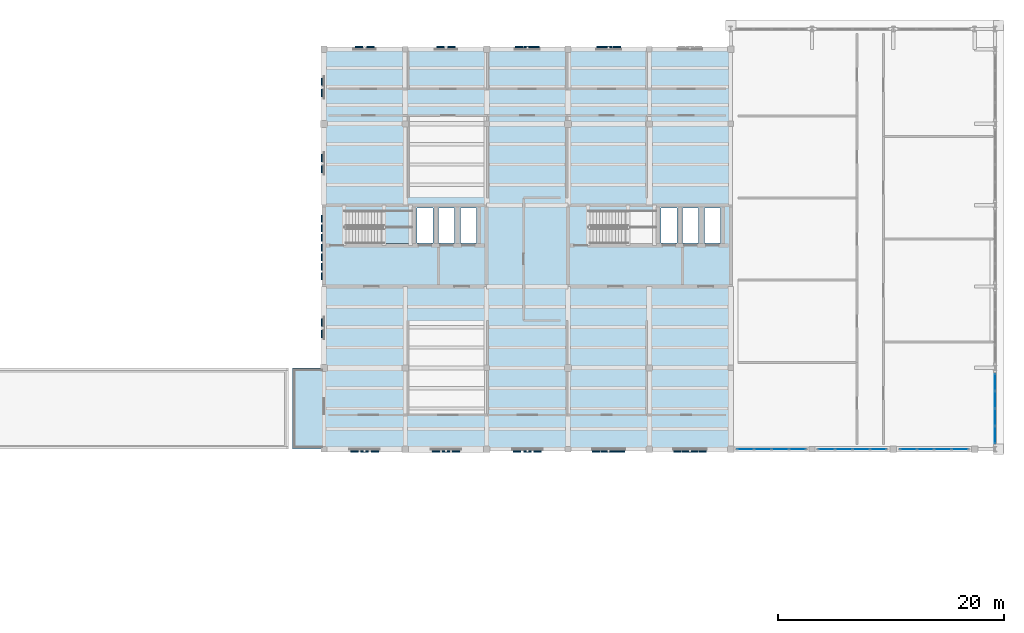
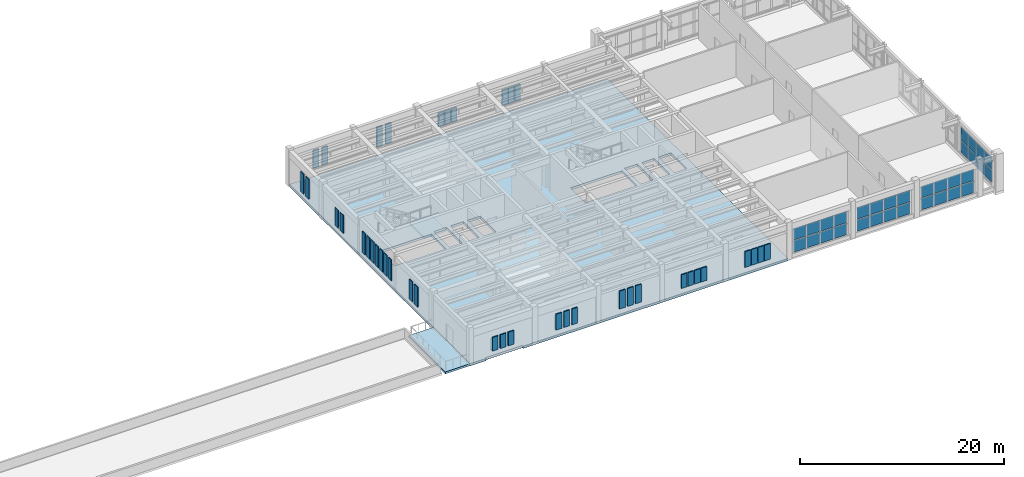
# One storey, part 9 of 18: 72 plates, 3 slabs, 5 elements without a shape of their own.
"""IFC4 building model written with IfcOpenShell, lengths in metres."""

from ifc_helpers import new_model, si_unit, direction, frame, origin, origin_2d, place, context, subcontext, project, spatial, polyline, rectangle, outline, extrude, material, layer, layer_set, type_object, element, aggregate, save


model = new_model("IFC4")

# Units and contexts
model_context = context("Model", 3, precision=1e-05, world=origin(), true_north=direction((0.0, 1.0)))
body_context = subcontext(model_context, "Body", "Model", "MODEL_VIEW")
ifc_project = project(units=[si_unit("LENGTHUNIT", "METRE"), si_unit("AREAUNIT", "SQUARE_METRE"), si_unit("VOLUMEUNIT", "CUBIC_METRE"), si_unit("PLANEANGLEUNIT", "RADIAN"), si_unit("MASSUNIT", "GRAM", prefix="KILO")], contexts=[model_context])

# Site, building, storey
site_placement = place(None, origin())
site = spatial("IfcSite", under=ifc_project, at=site_placement, CompositionType="ELEMENT")
building_placement = place(site_placement, origin())
building = spatial("IfcBuilding", under=site, at=building_placement, Name="Mithqara Police Headquarters", CompositionType="ELEMENT")
storey_placement = place(building_placement, frame((0.0, 0.0, 26.39990234375)))
storey = spatial("IfcBuildingStorey", under=building, at=storey_placement, Name="L06", CompositionType="ELEMENT", Elevation=26.39990234375)

# Curtain wall, plates
ifc_material_1 = material(Name="Bronze anodised aluminium 6063-T6", Category="aluminium")
curtain_wall_type_1 = type_object("IfcCurtainWallType", Name="CURTAIN WALL 6175X2970", PredefinedType="USERDEFINED", material=ifc_material_1)
curtain_wall_1_placement = place(storey_placement, origin())
curtain_wall_1 = element("IfcCurtainWall", 1, at=curtain_wall_1_placement, inside=storey, type_object=curtain_wall_type_1, Name="L06 Unitised Glazing CW-01 (CW-CUBE-L06-P0-E01-S0-00)", ObjectType="UNITISED GLAZING", PredefinedType="USERDEFINED")
ifc_material_2 = material(Name="Ballistic laminated double low-e glass", Category="glass")
ifc_layer_1 = layer(ifc_material_2, 0.035888671875, Name="Ballistic laminated double low-e glass")
ifc_layer_set_1 = layer_set([ifc_layer_1], Name="Ballistic laminated double low-e glass")
plate_type_1 = type_object("IfcPlateType", Name="CWPANEL GLASS36", PredefinedType="CURTAIN_PANEL", material=ifc_layer_set_1)
plate_1_placement = place(storey_placement, frame((145.91552734375, 78.60009765625, 0.525146484375), z_axis=(0.0, 0.0, 1.0), x_axis=(1.0, 0.0, 0.0)))
plate_1 = element("IfcPlate", 2, at=plate_1_placement, type_object=plate_type_1, Name="CW-01 panel 1.1", PredefinedType="CURTAIN_PANEL", context=body_context, shape_type="SweptSolid", body=[
    extrude(rectangle(XDim=1.43115234375, YDim=0.035888671875, at=origin_2d()), origin(), (0.0, 0.0, 1.0), 1.37255859375),
])
plate_2_placement = place(storey_placement, frame((145.91552734375, 78.60009765625, 1.97265625), z_axis=(0.0, 0.0, 1.0), x_axis=(1.0, 0.0, 0.0)))
plate_2 = element("IfcPlate", 3, at=plate_2_placement, type_object=plate_type_1, Name="CW-01 panel 1.2", PredefinedType="CURTAIN_PANEL", context=body_context, shape_type="SweptSolid", body=[
    extrude(rectangle(XDim=1.43115234375, YDim=0.035888671875, at=origin_2d()), origin(), (0.0, 0.0, 1.0), 1.37255859375),
])
plate_3_placement = place(storey_placement, frame((147.440673828125, 78.60009765625, 0.525146484375), z_axis=(0.0, 0.0, 1.0), x_axis=(1.0, 0.0, 0.0)))
plate_3 = element("IfcPlate", 4, at=plate_3_placement, type_object=plate_type_1, Name="CW-01 panel 2.1", PredefinedType="CURTAIN_PANEL", context=body_context, shape_type="SweptSolid", body=[
    extrude(rectangle(XDim=1.46875, YDim=0.035888671875, at=origin_2d()), origin(), (0.0, 0.0, 1.0), 1.37255859375),
])
plate_4_placement = place(storey_placement, frame((147.440673828125, 78.60009765625, 1.97265625), z_axis=(0.0, 0.0, 1.0), x_axis=(1.0, 0.0, 0.0)))
plate_4 = element("IfcPlate", 5, at=plate_4_placement, type_object=plate_type_1, Name="CW-01 panel 2.2", PredefinedType="CURTAIN_PANEL", context=body_context, shape_type="SweptSolid", body=[
    extrude(rectangle(XDim=1.46875, YDim=0.035888671875, at=origin_2d()), origin(), (0.0, 0.0, 1.0), 1.37255859375),
])
plate_5_placement = place(storey_placement, frame((148.984375, 78.60009765625, 0.525146484375), z_axis=(0.0, 0.0, 1.0), x_axis=(1.0, 0.0, 0.0)))
plate_5 = element("IfcPlate", 6, at=plate_5_placement, type_object=plate_type_1, Name="CW-01 panel 3.1", PredefinedType="CURTAIN_PANEL", context=body_context, shape_type="SweptSolid", body=[
    extrude(rectangle(XDim=1.46875, YDim=0.035888671875, at=origin_2d()), origin(), (0.0, 0.0, 1.0), 1.37255859375),
])
plate_6_placement = place(storey_placement, frame((148.984375, 78.60009765625, 1.97265625), z_axis=(0.0, 0.0, 1.0), x_axis=(1.0, 0.0, 0.0)))
plate_6 = element("IfcPlate", 7, at=plate_6_placement, type_object=plate_type_1, Name="CW-01 panel 3.2", PredefinedType="CURTAIN_PANEL", context=body_context, shape_type="SweptSolid", body=[
    extrude(rectangle(XDim=1.46875, YDim=0.035888671875, at=origin_2d()), origin(), (0.0, 0.0, 1.0), 1.37255859375),
])
plate_7_placement = place(storey_placement, frame((150.50927734375, 78.60009765625, 0.525146484375), z_axis=(0.0, 0.0, 1.0), x_axis=(1.0, 0.0, 0.0)))
plate_7 = element("IfcPlate", 8, at=plate_7_placement, type_object=plate_type_1, Name="CW-01 panel 4.1", PredefinedType="CURTAIN_PANEL", context=body_context, shape_type="SweptSolid", body=[
    extrude(rectangle(XDim=1.43115234375, YDim=0.035888671875, at=origin_2d()), origin(), (0.0, 0.0, 1.0), 1.37255859375),
])
plate_8_placement = place(storey_placement, frame((150.50927734375, 78.60009765625, 1.97265625), z_axis=(0.0, 0.0, 1.0), x_axis=(1.0, 0.0, 0.0)))
plate_8 = element("IfcPlate", 9, at=plate_8_placement, type_object=plate_type_1, Name="CW-01 panel 4.2", PredefinedType="CURTAIN_PANEL", context=body_context, shape_type="SweptSolid", body=[
    extrude(rectangle(XDim=1.43115234375, YDim=0.035888671875, at=origin_2d()), origin(), (0.0, 0.0, 1.0), 1.37255859375),
])
aggregate(curtain_wall_1, [plate_1, plate_2, plate_3, plate_4, plate_5, plate_6, plate_7, plate_8])

curtain_wall_type_2 = type_object("IfcCurtainWallType", Name="CURTAIN WALL 6150X2970", PredefinedType="USERDEFINED", material=ifc_material_1)
curtain_wall_2_placement = place(storey_placement, origin())
curtain_wall_2 = element("IfcCurtainWall", 10, at=curtain_wall_2_placement, inside=storey, type_object=curtain_wall_type_2, Name="L06 Unitised Glazing CW-02 (CW-CUBE-L06-P0-E01-S0-01)", ObjectType="UNITISED GLAZING", PredefinedType="USERDEFINED")
plate_9_placement = place(storey_placement, frame((153.08740234375, 78.60009765625, 0.525146484375), z_axis=(0.0, 0.0, 1.0), x_axis=(1.0, 0.0, 0.0)))
plate_9 = element("IfcPlate", 11, at=plate_9_placement, type_object=plate_type_1, Name="CW-02 panel 1.1", PredefinedType="CURTAIN_PANEL", context=body_context, shape_type="SweptSolid", body=[
    extrude(rectangle(XDim=1.425048828125, YDim=0.035888671875, at=origin_2d()), origin(), (0.0, 0.0, 1.0), 1.37255859375),
])
plate_10_placement = place(storey_placement, frame((153.08740234375, 78.60009765625, 1.97265625), z_axis=(0.0, 0.0, 1.0), x_axis=(1.0, 0.0, 0.0)))
plate_10 = element("IfcPlate", 12, at=plate_10_placement, type_object=plate_type_1, Name="CW-02 panel 1.2", PredefinedType="CURTAIN_PANEL", context=body_context, shape_type="SweptSolid", body=[
    extrude(rectangle(XDim=1.425048828125, YDim=0.035888671875, at=origin_2d()), origin(), (0.0, 0.0, 1.0), 1.37255859375),
])
plate_11_placement = place(storey_placement, frame((154.606201171875, 78.60009765625, 0.525146484375), z_axis=(0.0, 0.0, 1.0), x_axis=(1.0, 0.0, 0.0)))
plate_11 = element("IfcPlate", 13, at=plate_11_placement, type_object=plate_type_1, Name="CW-02 panel 2.1", PredefinedType="CURTAIN_PANEL", context=body_context, shape_type="SweptSolid", body=[
    extrude(rectangle(XDim=1.46240234375, YDim=0.035888671875, at=origin_2d()), origin(), (0.0, 0.0, 1.0), 1.37255859375),
])
plate_12_placement = place(storey_placement, frame((154.606201171875, 78.60009765625, 1.97265625), z_axis=(0.0, 0.0, 1.0), x_axis=(1.0, 0.0, 0.0)))
plate_12 = element("IfcPlate", 14, at=plate_12_placement, type_object=plate_type_1, Name="CW-02 panel 2.2", PredefinedType="CURTAIN_PANEL", context=body_context, shape_type="SweptSolid", body=[
    extrude(rectangle(XDim=1.46240234375, YDim=0.035888671875, at=origin_2d()), origin(), (0.0, 0.0, 1.0), 1.37255859375),
])
plate_13_placement = place(storey_placement, frame((156.143798828125, 78.60009765625, 0.525146484375), z_axis=(0.0, 0.0, 1.0), x_axis=(1.0, 0.0, 0.0)))
plate_13 = element("IfcPlate", 15, at=plate_13_placement, type_object=plate_type_1, Name="CW-02 panel 3.1", PredefinedType="CURTAIN_PANEL", context=body_context, shape_type="SweptSolid", body=[
    extrude(rectangle(XDim=1.46240234375, YDim=0.035888671875, at=origin_2d()), origin(), (0.0, 0.0, 1.0), 1.37255859375),
])
plate_14_placement = place(storey_placement, frame((156.143798828125, 78.60009765625, 1.97265625), z_axis=(0.0, 0.0, 1.0), x_axis=(1.0, 0.0, 0.0)))
plate_14 = element("IfcPlate", 16, at=plate_14_placement, type_object=plate_type_1, Name="CW-02 panel 3.2", PredefinedType="CURTAIN_PANEL", context=body_context, shape_type="SweptSolid", body=[
    extrude(rectangle(XDim=1.46240234375, YDim=0.035888671875, at=origin_2d()), origin(), (0.0, 0.0, 1.0), 1.37255859375),
])
plate_15_placement = place(storey_placement, frame((157.66259765625, 78.60009765625, 0.525146484375), z_axis=(0.0, 0.0, 1.0), x_axis=(1.0, 0.0, 0.0)))
plate_15 = element("IfcPlate", 17, at=plate_15_placement, type_object=plate_type_1, Name="CW-02 panel 4.1", PredefinedType="CURTAIN_PANEL", context=body_context, shape_type="SweptSolid", body=[
    extrude(rectangle(XDim=1.425048828125, YDim=0.035888671875, at=origin_2d()), origin(), (0.0, 0.0, 1.0), 1.37255859375),
])
plate_16_placement = place(storey_placement, frame((157.66259765625, 78.60009765625, 1.97265625), z_axis=(0.0, 0.0, 1.0), x_axis=(1.0, 0.0, 0.0)))
plate_16 = element("IfcPlate", 18, at=plate_16_placement, type_object=plate_type_1, Name="CW-02 panel 4.2", PredefinedType="CURTAIN_PANEL", context=body_context, shape_type="SweptSolid", body=[
    extrude(rectangle(XDim=1.425048828125, YDim=0.035888671875, at=origin_2d()), origin(), (0.0, 0.0, 1.0), 1.37255859375),
])
aggregate(curtain_wall_2, [plate_9, plate_10, plate_11, plate_12, plate_13, plate_14, plate_15, plate_16])

curtain_wall_type_3 = type_object("IfcCurtainWallType", Name="CURTAIN WALL 6125X2970", PredefinedType="USERDEFINED", material=ifc_material_1)
curtain_wall_3_placement = place(storey_placement, origin())
curtain_wall_3 = element("IfcCurtainWall", 19, at=curtain_wall_3_placement, inside=storey, type_object=curtain_wall_type_3, Name="L06 Unitised Glazing CW-03 (CW-CUBE-L06-P0-E01-S0-02)", ObjectType="UNITISED GLAZING", PredefinedType="USERDEFINED")
plate_17_placement = place(storey_placement, frame((160.33447265625, 78.60009765625, 0.525146484375), z_axis=(0.0, 0.0, 1.0), x_axis=(1.0, 0.0, 0.0)))
plate_17 = element("IfcPlate", 20, at=plate_17_placement, type_object=plate_type_1, Name="CW-03 panel 1.1", PredefinedType="CURTAIN_PANEL", context=body_context, shape_type="SweptSolid", body=[
    extrude(rectangle(XDim=1.418701171875, YDim=0.035888671875, at=origin_2d()), origin(), (0.0, 0.0, 1.0), 1.37255859375),
])
plate_18_placement = place(storey_placement, frame((160.33447265625, 78.60009765625, 1.97265625), z_axis=(0.0, 0.0, 1.0), x_axis=(1.0, 0.0, 0.0)))
plate_18 = element("IfcPlate", 21, at=plate_18_placement, type_object=plate_type_1, Name="CW-03 panel 1.2", PredefinedType="CURTAIN_PANEL", context=body_context, shape_type="SweptSolid", body=[
    extrude(rectangle(XDim=1.418701171875, YDim=0.035888671875, at=origin_2d()), origin(), (0.0, 0.0, 1.0), 1.37255859375),
])
plate_19_placement = place(storey_placement, frame((161.846923828125, 78.60009765625, 0.525146484375), z_axis=(0.0, 0.0, 1.0), x_axis=(1.0, 0.0, 0.0)))
plate_19 = element("IfcPlate", 22, at=plate_19_placement, type_object=plate_type_1, Name="CW-03 panel 2.1", PredefinedType="CURTAIN_PANEL", context=body_context, shape_type="SweptSolid", body=[
    extrude(rectangle(XDim=1.456298828125, YDim=0.035888671875, at=origin_2d()), origin(), (0.0, 0.0, 1.0), 1.37255859375),
])
plate_20_placement = place(storey_placement, frame((161.846923828125, 78.60009765625, 1.97265625), z_axis=(0.0, 0.0, 1.0), x_axis=(1.0, 0.0, 0.0)))
plate_20 = element("IfcPlate", 23, at=plate_20_placement, type_object=plate_type_1, Name="CW-03 panel 2.2", PredefinedType="CURTAIN_PANEL", context=body_context, shape_type="SweptSolid", body=[
    extrude(rectangle(XDim=1.456298828125, YDim=0.035888671875, at=origin_2d()), origin(), (0.0, 0.0, 1.0), 1.37255859375),
])
plate_21_placement = place(storey_placement, frame((163.378173828125, 78.60009765625, 0.525146484375), z_axis=(0.0, 0.0, 1.0), x_axis=(1.0, 0.0, 0.0)))
plate_21 = element("IfcPlate", 24, at=plate_21_placement, type_object=plate_type_1, Name="CW-03 panel 3.1", PredefinedType="CURTAIN_PANEL", context=body_context, shape_type="SweptSolid", body=[
    extrude(rectangle(XDim=1.456298828125, YDim=0.035888671875, at=origin_2d()), origin(), (0.0, 0.0, 1.0), 1.37255859375),
])
plate_22_placement = place(storey_placement, frame((163.378173828125, 78.60009765625, 1.97265625), z_axis=(0.0, 0.0, 1.0), x_axis=(1.0, 0.0, 0.0)))
plate_22 = element("IfcPlate", 25, at=plate_22_placement, type_object=plate_type_1, Name="CW-03 panel 3.2", PredefinedType="CURTAIN_PANEL", context=body_context, shape_type="SweptSolid", body=[
    extrude(rectangle(XDim=1.456298828125, YDim=0.035888671875, at=origin_2d()), origin(), (0.0, 0.0, 1.0), 1.37255859375),
])
plate_23_placement = place(storey_placement, frame((164.890625, 78.60009765625, 0.525146484375), z_axis=(0.0, 0.0, 1.0), x_axis=(1.0, 0.0, 0.0)))
plate_23 = element("IfcPlate", 26, at=plate_23_placement, type_object=plate_type_1, Name="CW-03 panel 4.1", PredefinedType="CURTAIN_PANEL", context=body_context, shape_type="SweptSolid", body=[
    extrude(rectangle(XDim=1.418701171875, YDim=0.035888671875, at=origin_2d()), origin(), (0.0, 0.0, 1.0), 1.37255859375),
])
plate_24_placement = place(storey_placement, frame((164.890625, 78.60009765625, 1.97265625), z_axis=(0.0, 0.0, 1.0), x_axis=(1.0, 0.0, 0.0)))
plate_24 = element("IfcPlate", 27, at=plate_24_placement, type_object=plate_type_1, Name="CW-03 panel 4.2", PredefinedType="CURTAIN_PANEL", context=body_context, shape_type="SweptSolid", body=[
    extrude(rectangle(XDim=1.418701171875, YDim=0.035888671875, at=origin_2d()), origin(), (0.0, 0.0, 1.0), 1.37255859375),
])
aggregate(curtain_wall_3, [plate_17, plate_18, plate_19, plate_20, plate_21, plate_22, plate_23, plate_24])

curtain_wall_type_4 = type_object("IfcCurtainWallType", Name="CURTAIN WALL 6250X3170", PredefinedType="USERDEFINED", material=ifc_material_1)
curtain_wall_4_placement = place(storey_placement, origin())
curtain_wall_4 = element("IfcCurtainWall", 28, at=curtain_wall_4_placement, inside=storey, type_object=curtain_wall_type_4, Name="L06 Unitised Glazing CW-04 (CW-CUBE-L06-P0-E02-S0-00)", ObjectType="UNITISED GLAZING", PredefinedType="USERDEFINED")
plate_25_placement = place(storey_placement, frame((168.0, 79.875, 0.52490234375), z_axis=(0.0, 0.0, 1.0), x_axis=(0.0, 1.0, 0.0)))
plate_25 = element("IfcPlate", 29, at=plate_25_placement, type_object=plate_type_1, Name="CW-04 panel 1.1", PredefinedType="CURTAIN_PANEL", context=body_context, shape_type="SweptSolid", body=[
    extrude(rectangle(XDim=1.449951171875, YDim=0.035888671875, at=origin_2d()), origin(), (0.0, 0.0, 1.0), 1.472412109375),
])
plate_26_placement = place(storey_placement, frame((168.0, 79.875, 2.07275390625), z_axis=(0.0, 0.0, 1.0), x_axis=(0.0, 1.0, 0.0)))
plate_26 = element("IfcPlate", 30, at=plate_26_placement, type_object=plate_type_1, Name="CW-04 panel 1.2", PredefinedType="CURTAIN_PANEL", context=body_context, shape_type="SweptSolid", body=[
    extrude(rectangle(XDim=1.449951171875, YDim=0.035888671875, at=origin_2d()), origin(), (0.0, 0.0, 1.0), 1.472412109375),
])
plate_27_placement = place(storey_placement, frame((168.0, 81.418701171875, 0.52490234375), z_axis=(0.0, 0.0, 1.0), x_axis=(0.0, 1.0, 0.0)))
plate_27 = element("IfcPlate", 31, at=plate_27_placement, type_object=plate_type_1, Name="CW-04 panel 2.1", PredefinedType="CURTAIN_PANEL", context=body_context, shape_type="SweptSolid", body=[
    extrude(rectangle(XDim=1.487548828125, YDim=0.035888671875, at=origin_2d()), origin(), (0.0, 0.0, 1.0), 1.472412109375),
])
plate_28_placement = place(storey_placement, frame((168.0, 81.418701171875, 2.07275390625), z_axis=(0.0, 0.0, 1.0), x_axis=(0.0, 1.0, 0.0)))
plate_28 = element("IfcPlate", 32, at=plate_28_placement, type_object=plate_type_1, Name="CW-04 panel 2.2", PredefinedType="CURTAIN_PANEL", context=body_context, shape_type="SweptSolid", body=[
    extrude(rectangle(XDim=1.487548828125, YDim=0.035888671875, at=origin_2d()), origin(), (0.0, 0.0, 1.0), 1.472412109375),
])
plate_29_placement = place(storey_placement, frame((168.0, 82.981201171875, 0.52490234375), z_axis=(0.0, 0.0, 1.0), x_axis=(0.0, 1.0, 0.0)))
plate_29 = element("IfcPlate", 33, at=plate_29_placement, type_object=plate_type_1, Name="CW-04 panel 3.1", PredefinedType="CURTAIN_PANEL", context=body_context, shape_type="SweptSolid", body=[
    extrude(rectangle(XDim=1.487548828125, YDim=0.035888671875, at=origin_2d()), origin(), (0.0, 0.0, 1.0), 1.472412109375),
])
plate_30_placement = place(storey_placement, frame((168.0, 82.981201171875, 2.07275390625), z_axis=(0.0, 0.0, 1.0), x_axis=(0.0, 1.0, 0.0)))
plate_30 = element("IfcPlate", 34, at=plate_30_placement, type_object=plate_type_1, Name="CW-04 panel 3.2", PredefinedType="CURTAIN_PANEL", context=body_context, shape_type="SweptSolid", body=[
    extrude(rectangle(XDim=1.487548828125, YDim=0.035888671875, at=origin_2d()), origin(), (0.0, 0.0, 1.0), 1.472412109375),
])
plate_31_placement = place(storey_placement, frame((168.0, 84.52490234375, 0.52490234375), z_axis=(0.0, 0.0, 1.0), x_axis=(0.0, 1.0, 0.0)))
plate_31 = element("IfcPlate", 35, at=plate_31_placement, type_object=plate_type_1, Name="CW-04 panel 4.1", PredefinedType="CURTAIN_PANEL", context=body_context, shape_type="SweptSolid", body=[
    extrude(rectangle(XDim=1.449951171875, YDim=0.035888671875, at=origin_2d()), origin(), (0.0, 0.0, 1.0), 1.472412109375),
])
plate_32_placement = place(storey_placement, frame((168.0, 84.52490234375, 2.07275390625), z_axis=(0.0, 0.0, 1.0), x_axis=(0.0, 1.0, 0.0)))
plate_32 = element("IfcPlate", 36, at=plate_32_placement, type_object=plate_type_1, Name="CW-04 panel 4.2", PredefinedType="CURTAIN_PANEL", context=body_context, shape_type="SweptSolid", body=[
    extrude(rectangle(XDim=1.449951171875, YDim=0.035888671875, at=origin_2d()), origin(), (0.0, 0.0, 1.0), 1.472412109375),
])
aggregate(curtain_wall_4, [plate_25, plate_26, plate_27, plate_28, plate_29, plate_30, plate_31, plate_32])

# Slab
ifc_material_3 = material(Name="Concrete C40/50", Category="concrete")
ifc_layer_2 = layer(ifc_material_3, 0.280029296875, Name="Concrete C40/50")
ifc_layer_set_2 = layer_set([ifc_layer_2], Name="Concrete C40/50")
slab_type_1 = type_object("IfcSlabType", Name="FLOOR SLAB 280", PredefinedType="FLOOR", material=ifc_layer_set_2)
slab_1_placement = place(storey_placement, frame((0.0, 0.0, -0.27978515625)))
element("IfcSlab", 37, at=slab_1_placement, inside=storey, type_object=slab_type_1, Name="L06 Structural Slab L06-V1A", PredefinedType="FLOOR", context=body_context, shape_type="SweptSolid", body=[
    extrude(outline(polyline([(108.60009765625, 114.0), (144.60009765625, 114.0), (144.60009765625, 78.60009765625), (114.60009765625, 78.60009765625), (114.60009765625, 78.739990234375), (110.39990234375, 78.739990234375), (110.39990234375, 78.60009765625), (108.60009765625, 78.60009765625), (108.60009765625, 114.0)]), holes=[polyline([(110.550048828125, 96.800048828125), (116.39990234375, 96.800048828125), (116.39990234375, 99.699951171875), (110.550048828125, 99.699951171875), (110.550048828125, 96.800048828125)]), polyline([(132.14990234375, 96.800048828125), (138.0, 96.800048828125), (138.0, 99.699951171875), (132.14990234375, 99.699951171875), (132.14990234375, 96.800048828125)]), polyline([(118.25, 96.8701171875), (118.25, 99.949951171875), (116.830078125, 99.949951171875), (116.830078125, 96.8701171875), (118.25, 96.8701171875)]), polyline([(120.169921875, 96.8701171875), (120.169921875, 99.949951171875), (118.75, 99.949951171875), (118.75, 96.8701171875), (120.169921875, 96.8701171875)]), polyline([(122.090087890625, 96.8701171875), (122.090087890625, 99.949951171875), (120.669921875, 99.949951171875), (120.669921875, 96.8701171875), (122.090087890625, 96.8701171875)]), polyline([(139.85009765625, 96.8701171875), (139.85009765625, 99.949951171875), (138.429931640625, 99.949951171875), (138.429931640625, 96.8701171875), (139.85009765625, 96.8701171875)]), polyline([(141.77001953125, 96.8701171875), (141.77001953125, 99.949951171875), (140.35009765625, 99.949951171875), (140.35009765625, 96.8701171875), (141.77001953125, 96.8701171875)]), polyline([(143.68994140625, 96.8701171875), (143.68994140625, 99.949951171875), (142.27001953125, 99.949951171875), (142.27001953125, 96.8701171875), (143.68994140625, 96.8701171875)])]), origin(), (0.0, 0.0, 1.0), 0.27978515625),
])

# Stair, slab
stair_type = type_object("IfcStairType", Name="STAIR ST 01-R26", PredefinedType="HALF_TURN_STAIR", material=ifc_material_3)
stair_placement = place(storey_placement, origin())
stair = element("IfcStair", 38, at=stair_placement, inside=storey, type_object=stair_type, Name="L06 Core C1 Command West Exit Stair", PredefinedType="HALF_TURN_STAIR")
ifc_layer_3 = layer(ifc_material_3, 0.199951171875, Name="Concrete C40/50")
ifc_layer_set_3 = layer_set([ifc_layer_3], Name="Concrete C40/50")
slab_type_2 = type_object("IfcSlabType", Name="STAIR LANDING 200", PredefinedType="LANDING", material=ifc_layer_set_3)
slab_2_placement = place(storey_placement, frame((0.0, 0.0, 2.050048828125)))
slab_2 = element("IfcSlab", 39, at=slab_2_placement, type_object=slab_type_2, Name="ST-01 landing 1", PredefinedType="LANDING", context=body_context, shape_type="SweptSolid", body=[
    extrude(outline(polyline([(113.909912109375, 96.800048828125), (116.39990234375, 96.800048828125), (116.39990234375, 99.699951171875), (113.909912109375, 99.699951171875), (113.909912109375, 96.800048828125)])), origin(), (0.0, 0.0, 1.0), 0.199951171875),
])
aggregate(stair, [slab_2])

# Plates
ifc_material_4 = material(Name="Limestone ashlar masonry, 45 MPa", Category="masonry")
ifc_layer_4 = layer(ifc_material_4, 0.10009765625, Name="Limestone ashlar masonry, 45 MPa")
ifc_layer_set_4 = layer_set([ifc_layer_4], Name="Limestone ashlar masonry, 45 MPa")
plate_type_2 = type_object("IfcPlateType", Name="STONE SCREEN 100", PredefinedType="USERDEFINED", material=ifc_layer_set_4)
for number, where, z_axis, x_axis, name in (
    (40, (108.385009765625, 93.89990234375, 0.900146484375), (0.0, 0.0, 1.0), (0.0, 1.0, 0.0), "L06 Core C1 Pierced Vertical-Slit Screen 1"),
    (41, (108.385009765625, 94.75, 0.900146484375), (0.0, 0.0, 1.0), (0.0, 1.0, 0.0), "L06 Core C1 Pierced Vertical-Slit Screen 2"),
    (42, (108.385009765625, 95.60009765625, 0.900146484375), (0.0, 0.0, 1.0), (0.0, 1.0, 0.0), "L06 Core C1 Pierced Vertical-Slit Screen 3"),
    (43, (108.385009765625, 96.449951171875, 0.900146484375), (0.0, 0.0, 1.0), (0.0, 1.0, 0.0), "L06 Core C1 Pierced Vertical-Slit Screen 4"),
    (44, (108.385009765625, 97.300048828125, 0.900146484375), (0.0, 0.0, 1.0), (0.0, 1.0, 0.0), "L06 Core C1 Pierced Vertical-Slit Screen 5"),
    (45, (108.385009765625, 98.14990234375, 0.900146484375), (0.0, 0.0, 1.0), (0.0, 1.0, 0.0), "L06 Core C1 Pierced Vertical-Slit Screen 6"),
    (46, (108.385009765625, 99.0, 0.900146484375), (0.0, 0.0, 1.0), (0.0, 1.0, 0.0), "L06 Core C1 Pierced Vertical-Slit Screen 7"),
):
    element("IfcPlate", number, at=place(storey_placement, frame(where, z_axis=z_axis, x_axis=x_axis)), inside=storey, type_object=plate_type_2, Name=name, ObjectType="STONE SCREEN", PredefinedType="USERDEFINED", context=body_context, shape_type="SweptSolid", body=[
        extrude(rectangle(XDim=0.6201171875, YDim=0.10009765625, at=origin_2d()), origin(), (0.0, 0.0, 1.0), 2.5),
    ])
ifc_layer_5 = layer(ifc_material_4, 0.1201171875, Name="Limestone ashlar masonry, 45 MPa")
ifc_layer_set_5 = layer_set([ifc_layer_5], Name="Limestone ashlar masonry, 45 MPa")
plate_type_3 = type_object("IfcPlateType", Name="STONE SCREEN 120", PredefinedType="USERDEFINED", material=ifc_layer_set_5)
for number, where, z_axis, x_axis, name in (
    (47, (111.300048828125, 78.389892578125, 0.830078125), (0.0, 0.0, 1.0), (1.0, 0.0, 0.0), "L06 Pierced Limestone Vertical-Slit Panel 250"),
    (48, (112.199951171875, 78.389892578125, 0.830078125), (0.0, 0.0, 1.0), (1.0, 0.0, 0.0), "L06 Pierced Limestone Vertical-Slit Panel 251"),
    (49, (113.10009765625, 78.389892578125, 0.830078125), (0.0, 0.0, 1.0), (1.0, 0.0, 0.0), "L06 Pierced Limestone Vertical-Slit Panel 252"),
):
    element("IfcPlate", number, at=place(storey_placement, frame(where, z_axis=z_axis, x_axis=x_axis)), inside=storey, type_object=plate_type_3, Name=name, ObjectType="STONE SCREEN", PredefinedType="USERDEFINED", context=body_context, shape_type="SweptSolid", body=[
        extrude(rectangle(XDim=0.656005859375, YDim=0.1201171875, at=origin_2d()), origin(), (0.0, 0.0, 1.0), 1.639892578125),
    ])
for number, where, z_axis, x_axis, name in (
    (50, (118.5, 78.389892578125, 0.830078125), (0.0, 0.0, 1.0), (1.0, 0.0, 0.0), "L06 Pierced Limestone Vertical-Slit Panel 253"),
    (51, (119.39990234375, 78.389892578125, 0.830078125), (0.0, 0.0, 1.0), (1.0, 0.0, 0.0), "L06 Pierced Limestone Vertical-Slit Panel 254"),
    (52, (120.300048828125, 78.389892578125, 0.830078125), (0.0, 0.0, 1.0), (1.0, 0.0, 0.0), "L06 Pierced Limestone Vertical-Slit Panel 255"),
):
    element("IfcPlate", number, at=place(storey_placement, frame(where, z_axis=z_axis, x_axis=x_axis)), inside=storey, type_object=plate_type_3, Name=name, ObjectType="STONE SCREEN", PredefinedType="USERDEFINED", context=body_context, shape_type="SweptSolid", body=[
        extrude(rectangle(XDim=0.656005859375, YDim=0.1201171875, at=origin_2d()), origin(), (0.0, 0.0, 1.0), 1.889892578125),
    ])
for number, where, z_axis, x_axis, name in (
    (53, (125.699951171875, 78.389892578125, 0.830078125), (0.0, 0.0, 1.0), (1.0, 0.0, 0.0), "L06 Pierced Limestone Vertical-Slit Panel 256"),
    (54, (126.60009765625, 78.389892578125, 0.830078125), (0.0, 0.0, 1.0), (1.0, 0.0, 0.0), "L06 Pierced Limestone Vertical-Slit Panel 257"),
    (55, (127.5, 78.389892578125, 0.830078125), (0.0, 0.0, 1.0), (1.0, 0.0, 0.0), "L06 Pierced Limestone Vertical-Slit Panel 258"),
):
    element("IfcPlate", number, at=place(storey_placement, frame(where, z_axis=z_axis, x_axis=x_axis)), inside=storey, type_object=plate_type_3, Name=name, ObjectType="STONE SCREEN", PredefinedType="USERDEFINED", context=body_context, shape_type="SweptSolid", body=[
        extrude(rectangle(XDim=0.656005859375, YDim=0.1201171875, at=origin_2d()), origin(), (0.0, 0.0, 1.0), 2.139892578125),
    ])
for number, where, z_axis, x_axis, name in (
    (56, (132.693603515625, 78.389892578125, 0.830078125), (0.0, 0.0, 1.0), (1.0, 0.0, 0.0), "L06 Pierced Limestone Vertical-Slit Panel 259"),
    (57, (133.431396484375, 78.389892578125, 0.830078125), (0.0, 0.0, 1.0), (1.0, 0.0, 0.0), "L06 Pierced Limestone Vertical-Slit Panel 260"),
    (58, (134.168701171875, 78.389892578125, 0.830078125), (0.0, 0.0, 1.0), (1.0, 0.0, 0.0), "L06 Pierced Limestone Vertical-Slit Panel 261"),
    (59, (134.90625, 78.389892578125, 0.830078125), (0.0, 0.0, 1.0), (1.0, 0.0, 0.0), "L06 Pierced Limestone Vertical-Slit Panel 262"),
):
    element("IfcPlate", number, at=place(storey_placement, frame(where, z_axis=z_axis, x_axis=x_axis)), inside=storey, type_object=plate_type_3, Name=name, ObjectType="STONE SCREEN", PredefinedType="USERDEFINED", context=body_context, shape_type="SweptSolid", body=[
        extrude(rectangle(XDim=0.656005859375, YDim=0.1201171875, at=origin_2d()), origin(), (0.0, 0.0, 1.0), 1.639892578125),
    ])
for number, where, z_axis, x_axis, name in (
    (60, (139.893798828125, 78.389892578125, 0.830078125), (0.0, 0.0, 1.0), (1.0, 0.0, 0.0), "L06 Pierced Limestone Vertical-Slit Panel 263"),
    (61, (140.631103515625, 78.389892578125, 0.830078125), (0.0, 0.0, 1.0), (1.0, 0.0, 0.0), "L06 Pierced Limestone Vertical-Slit Panel 264"),
    (62, (141.368896484375, 78.389892578125, 0.830078125), (0.0, 0.0, 1.0), (1.0, 0.0, 0.0), "L06 Pierced Limestone Vertical-Slit Panel 265"),
    (63, (142.106201171875, 78.389892578125, 0.830078125), (0.0, 0.0, 1.0), (1.0, 0.0, 0.0), "L06 Pierced Limestone Vertical-Slit Panel 266"),
):
    element("IfcPlate", number, at=place(storey_placement, frame(where, z_axis=z_axis, x_axis=x_axis)), inside=storey, type_object=plate_type_3, Name=name, ObjectType="STONE SCREEN", PredefinedType="USERDEFINED", context=body_context, shape_type="SweptSolid", body=[
        extrude(rectangle(XDim=0.656005859375, YDim=0.1201171875, at=origin_2d()), origin(), (0.0, 0.0, 1.0), 1.889892578125),
    ])
ifc_layer_6 = layer(ifc_material_4, 0.139892578125, Name="Limestone ashlar masonry, 45 MPa")
ifc_layer_set_6 = layer_set([ifc_layer_6], Name="Limestone ashlar masonry, 45 MPa")
plate_type_4 = type_object("IfcPlateType", Name="STONE SCREEN 140", PredefinedType="USERDEFINED", material=ifc_layer_set_6)
for number, where, z_axis, x_axis, name in (
    (64, (112.699951171875, 114.219970703125, 0.830078125), (0.0, 0.0, 1.0), (1.0, 0.0, 0.0), "L06 Pierced Limestone Vertical-Slit Panel 267"),
    (65, (111.699951171875, 114.219970703125, 0.830078125), (0.0, 0.0, 1.0), (1.0, 0.0, 0.0), "L06 Pierced Limestone Vertical-Slit Panel 268"),
):
    element("IfcPlate", number, at=place(storey_placement, frame(where, z_axis=z_axis, x_axis=x_axis)), inside=storey, type_object=plate_type_4, Name=name, ObjectType="STONE SCREEN", PredefinedType="USERDEFINED", context=body_context, shape_type="SweptSolid", body=[
        extrude(rectangle(XDim=0.656005859375, YDim=0.139892578125, at=origin_2d()), origin(), (0.0, 0.0, 1.0), 2.139892578125),
    ])
for number, where, z_axis, x_axis, name in (
    (66, (119.89990234375, 114.219970703125, 0.830078125), (0.0, 0.0, 1.0), (1.0, 0.0, 0.0), "L06 Pierced Limestone Vertical-Slit Panel 269"),
    (67, (118.89990234375, 114.219970703125, 0.830078125), (0.0, 0.0, 1.0), (1.0, 0.0, 0.0), "L06 Pierced Limestone Vertical-Slit Panel 270"),
):
    element("IfcPlate", number, at=place(storey_placement, frame(where, z_axis=z_axis, x_axis=x_axis)), inside=storey, type_object=plate_type_4, Name=name, ObjectType="STONE SCREEN", PredefinedType="USERDEFINED", context=body_context, shape_type="SweptSolid", body=[
        extrude(rectangle(XDim=0.656005859375, YDim=0.139892578125, at=origin_2d()), origin(), (0.0, 0.0, 1.0), 2.389892578125),
    ])
for number, where, z_axis, x_axis, name in (
    (68, (127.333251953125, 114.219970703125, 0.830078125), (0.0, 0.0, 1.0), (1.0, 0.0, 0.0), "L06 Pierced Limestone Vertical-Slit Panel 271"),
    (69, (126.60009765625, 114.219970703125, 0.830078125), (0.0, 0.0, 1.0), (1.0, 0.0, 0.0), "L06 Pierced Limestone Vertical-Slit Panel 272"),
    (70, (125.86669921875, 114.219970703125, 0.830078125), (0.0, 0.0, 1.0), (1.0, 0.0, 0.0), "L06 Pierced Limestone Vertical-Slit Panel 273"),
):
    element("IfcPlate", number, at=place(storey_placement, frame(where, z_axis=z_axis, x_axis=x_axis)), inside=storey, type_object=plate_type_4, Name=name, ObjectType="STONE SCREEN", PredefinedType="USERDEFINED", context=body_context, shape_type="SweptSolid", body=[
        extrude(rectangle(XDim=0.656005859375, YDim=0.139892578125, at=origin_2d()), origin(), (0.0, 0.0, 1.0), 1.639892578125),
    ])
for number, where, z_axis, x_axis, name in (
    (71, (134.533203125, 114.219970703125, 0.830078125), (0.0, 0.0, 1.0), (1.0, 0.0, 0.0), "L06 Pierced Limestone Vertical-Slit Panel 274"),
    (72, (133.800048828125, 114.219970703125, 0.830078125), (0.0, 0.0, 1.0), (1.0, 0.0, 0.0), "L06 Pierced Limestone Vertical-Slit Panel 275"),
    (73, (133.066650390625, 114.219970703125, 0.830078125), (0.0, 0.0, 1.0), (1.0, 0.0, 0.0), "L06 Pierced Limestone Vertical-Slit Panel 276"),
):
    element("IfcPlate", number, at=place(storey_placement, frame(where, z_axis=z_axis, x_axis=x_axis)), inside=storey, type_object=plate_type_4, Name=name, ObjectType="STONE SCREEN", PredefinedType="USERDEFINED", context=body_context, shape_type="SweptSolid", body=[
        extrude(rectangle(XDim=0.656005859375, YDim=0.139892578125, at=origin_2d()), origin(), (0.0, 0.0, 1.0), 1.889892578125),
    ])
ifc_layer_7 = layer(ifc_material_4, 0.080078125, Name="Limestone ashlar masonry, 45 MPa")
ifc_layer_set_7 = layer_set([ifc_layer_7], Name="Limestone ashlar masonry, 45 MPa")
plate_type_5 = type_object("IfcPlateType", Name="STONE SCREEN 80", PredefinedType="USERDEFINED", material=ifc_layer_set_7)
for number, where, z_axis, x_axis, name in (
    (74, (108.409912109375, 104.385009765625, 0.830078125), (0.0, 0.0, 1.0), (0.0, 1.0, 0.0), "L06 Pierced Limestone Vertical-Slit Panel 280"),
    (75, (108.409912109375, 103.385009765625, 0.830078125), (0.0, 0.0, 1.0), (0.0, 1.0, 0.0), "L06 Pierced Limestone Vertical-Slit Panel 281"),
):
    element("IfcPlate", number, at=place(storey_placement, frame(where, z_axis=z_axis, x_axis=x_axis)), inside=storey, type_object=plate_type_5, Name=name, ObjectType="STONE SCREEN", PredefinedType="USERDEFINED", context=body_context, shape_type="SweptSolid", body=[
        extrude(rectangle(XDim=0.656005859375, YDim=0.080078125, at=origin_2d()), origin(), (0.0, 0.0, 1.0), 2.139892578125),
    ])
for number, where, z_axis, x_axis, name in (
    (76, (108.409912109375, 111.125, 0.830078125), (0.0, 0.0, 1.0), (0.0, 1.0, 0.0), "L06 Pierced Limestone Vertical-Slit Panel 282"),
    (77, (108.409912109375, 110.125, 0.830078125), (0.0, 0.0, 1.0), (0.0, 1.0, 0.0), "L06 Pierced Limestone Vertical-Slit Panel 283"),
    (78, (108.409912109375, 89.81494140625, 0.830078125), (0.0, 0.0, 1.0), (0.0, 1.0, 0.0), "L06 Pierced Limestone Vertical-Slit Panel 284"),
    (79, (108.409912109375, 88.81494140625, 0.830078125), (0.0, 0.0, 1.0), (0.0, 1.0, 0.0), "L06 Pierced Limestone Vertical-Slit Panel 285"),
):
    element("IfcPlate", number, at=place(storey_placement, frame(where, z_axis=z_axis, x_axis=x_axis)), inside=storey, type_object=plate_type_5, Name=name, ObjectType="STONE SCREEN", PredefinedType="USERDEFINED", context=body_context, shape_type="SweptSolid", body=[
        extrude(rectangle(XDim=0.656005859375, YDim=0.080078125, at=origin_2d()), origin(), (0.0, 0.0, 1.0), 2.389892578125),
    ])

# Slab
ifc_layer_8 = layer(ifc_material_3, 0.239990234375, Name="Concrete C40/50")
ifc_layer_set_8 = layer_set([ifc_layer_8], Name="Concrete C40/50")
slab_type_3 = type_object("IfcSlabType", Name="TERRACE SLAB 240", PredefinedType="FLOOR", material=ifc_layer_set_8)
slab_3_placement = place(storey_placement, frame((0.0, 0.0, -0.239990234375)))
element("IfcSlab", 80, at=slab_3_placement, inside=storey, type_object=slab_type_3, Name="L06 Walkable Roof Terrace TER-L06-W", PredefinedType="FLOOR", context=body_context, shape_type="SweptSolid", body=[
    extrude(outline(polyline([(108.60009765625, 78.60009765625), (105.800048828125, 78.60009765625), (105.800048828125, 85.800048828125), (108.60009765625, 85.800048828125), (108.60009765625, 78.60009765625)])), origin(), (0.0, 0.0, 1.0), 0.239990234375),
])

save(model, "model.ifc")
